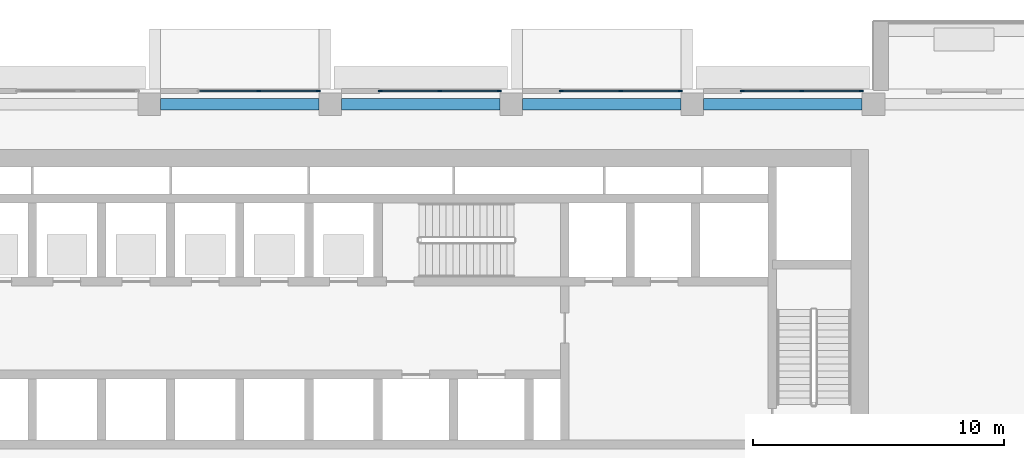
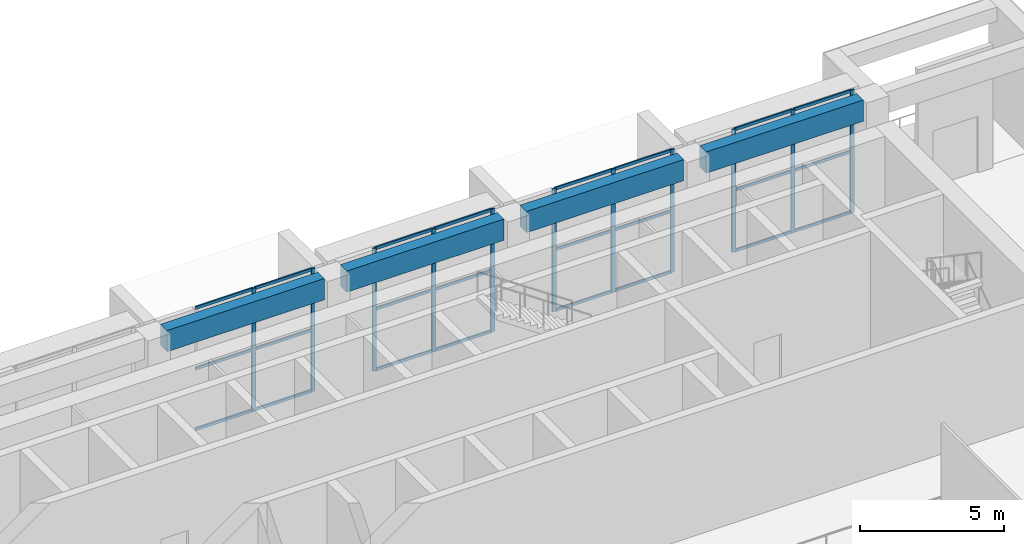
# One storey, part 8 of 25: 35 members, 4 beams, 4 elements without a shape of their own.
"""IFC4 building model written with IfcOpenShell, lengths in metres."""

from ifc_helpers import new_model, si_unit, direction, frame, origin, origin_2d, place, context, subcontext, project, spatial, rectangle, extrude, source, transform, mapped, material, layer, layer_set, material_profile, profile_set, type_object, element, aggregate, save


model = new_model("IFC4")

# Units and contexts
model_context = context("Model", 3, precision=1e-05, world=origin(), true_north=direction((0.0, 1.0)))
body_context = subcontext(model_context, "Body", "Model", "MODEL_VIEW")
ifc_project = project(units=[si_unit("LENGTHUNIT", "METRE"), si_unit("AREAUNIT", "SQUARE_METRE"), si_unit("VOLUMEUNIT", "CUBIC_METRE"), si_unit("PLANEANGLEUNIT", "RADIAN"), si_unit("MASSUNIT", "GRAM", prefix="KILO")], contexts=[model_context])

# Site, building, storey
site_placement = place(None, origin())
site = spatial("IfcSite", under=ifc_project, at=site_placement, CompositionType="ELEMENT")
building_placement = place(site_placement, origin())
building = spatial("IfcBuilding", under=site, at=building_placement, Name="Saffron Iwan Residences", CompositionType="ELEMENT")
storey_placement = place(building_placement, frame((0.0, 0.0, 137.5)))
storey = spatial("IfcBuildingStorey", under=building, at=storey_placement, Name="L36", CompositionType="ELEMENT", Elevation=137.5)

# Beams
ifc_material_1 = material(Name="Concrete C50/60", Category="concrete")
ifc_material_profile_1 = material_profile(ifc_material_1, rectangle(XDim=0.449951171875, YDim=0.89990234375, at=origin_2d()), Name="RC 450x900")
ifc_profile_set_1 = profile_set([ifc_material_profile_1], Name="Concrete C50/60")
beam_type = type_object("IfcBeamType", Name="SPANDREL BEAM RC 450x900 C50/60 TOP 5200", PredefinedType="SPANDREL", material=ifc_profile_set_1)
shared_shape_1 = source(origin(), body_context, "Body", "SweptSolid", [
    extrude(rectangle(XDim=0.449951171875, YDim=0.89990234375, at=origin_2d()), origin(), (0.0, 0.0, 1.0), 6.300048828125),
])
for number, where, z_axis, x_axis, name in (
    (1, (43.64990234375, 79.800048828125, 4.75), (1.0, 0.0, 0.0), (0.0, 1.0, 0.0), "Spandrel beam"),
    (2, (58.050048828125, 79.800048828125, 4.75), (1.0, 0.0, 0.0), (0.0, 1.0, 0.0), "Spandrel beam"),
    (3, (65.25, 79.800048828125, 4.75), (1.0, 0.0, 0.0), (0.0, 1.0, 0.0), "Spandrel beam"),
):
    element("IfcBeam", number, at=place(storey_placement, frame(where, z_axis=z_axis, x_axis=x_axis)), inside=storey, type_object=beam_type, Name=name, PredefinedType="SPANDREL", context=body_context, shape_type="MappedRepresentation", body=[
        mapped(shared_shape_1, transform((0.0, 0.0, 0.0))),
    ])
shared_shape_2 = source(origin(), body_context, "Body", "SweptSolid", [
    extrude(rectangle(XDim=0.449951171875, YDim=0.89990234375, at=origin_2d()), origin(), (0.0, 0.0, 1.0), 6.2998046875),
])
beam_placement = place(storey_placement, frame((50.85009765625, 79.800048828125, 4.75), z_axis=(1.0, 0.0, 0.0), x_axis=(0.0, 1.0, 0.0)))
element("IfcBeam", 4, at=beam_placement, inside=storey, type_object=beam_type, Name="Spandrel beam", PredefinedType="SPANDREL", context=body_context, shape_type="MappedRepresentation", body=[
    mapped(shared_shape_2, transform((0.0, 0.0, 0.0))),
])

# Curtain wall, members
ifc_material_2 = material(Name="Clear glass, laminated double glazed", Category="glass")
ifc_layer = layer(ifc_material_2, 0.14990234375)
ifc_layer_set = layer_set([ifc_layer], Name="Clear glass, laminated double glazed")
curtain_wall_type = type_object("IfcCurtainWallType", Name="CW-C SKY LOBBY GLAZING", PredefinedType="NOTDEFINED", material=ifc_layer_set)
curtain_wall_1_placement = place(storey_placement, origin())
curtain_wall_1 = element("IfcCurtainWall", 5, at=curtain_wall_1_placement, inside=storey, type_object=curtain_wall_type, Name="Glazing L36 F5.3", PredefinedType="NOTDEFINED")
ifc_material_3 = material(Name="Aluminium 6063-T6", Category="aluminium")
ifc_material_profile_2 = material_profile(ifc_material_3, rectangle(XDim=0.06005859375, YDim=0.159912109375, at=origin_2d()), Name="CW-C MULLION 60 x 160")
ifc_profile_set_2 = profile_set([ifc_material_profile_2], Name="Aluminium 6063-T6")
member_type_1 = type_object("IfcMemberType", Name="CW-C MULLION 60 x 160", PredefinedType="MULLION", material=ifc_profile_set_2)
shared_shape_3 = source(origin(), body_context, "Body", "SweptSolid", [
    extrude(rectangle(XDim=0.06005859375, YDim=0.159912109375, at=origin_2d()), origin(), (0.0, 0.0, 1.0), 5.199951171875),
])
member_1_placement = place(storey_placement, frame((71.52001953125, 80.320068359375, 0.0), z_axis=(0.0, 0.0, 1.0), x_axis=(0.0, -1.0, 0.0)))
member_1 = element("IfcMember", 6, at=member_1_placement, type_object=member_type_1, Name="CW-C mullion 1", PredefinedType="MULLION", context=body_context, shape_type="MappedRepresentation", body=[
    mapped(shared_shape_3, transform((0.0, 0.0, 0.0))),
])
member_2_placement = place(storey_placement, frame((69.14990234375, 80.320068359375, 0.0), z_axis=(0.0, 0.0, 1.0), x_axis=(0.0, -1.0, 0.0)))
member_2 = element("IfcMember", 7, at=member_2_placement, type_object=member_type_1, Name="CW-C mullion 2", PredefinedType="MULLION", context=body_context, shape_type="MappedRepresentation", body=[
    mapped(shared_shape_3, transform((0.0, 0.0, 0.0))),
])
member_3_placement = place(storey_placement, frame((66.780029296875, 80.320068359375, 0.0), z_axis=(0.0, 0.0, 1.0), x_axis=(0.0, -1.0, 0.0)))
member_3 = element("IfcMember", 8, at=member_3_placement, type_object=member_type_1, Name="CW-C mullion 3", PredefinedType="MULLION", context=body_context, shape_type="MappedRepresentation", body=[
    mapped(shared_shape_3, transform((0.0, 0.0, 0.0))),
])

curtain_wall_2_placement = place(storey_placement, origin())
curtain_wall_2 = element("IfcCurtainWall", 9, at=curtain_wall_2_placement, inside=storey, type_object=curtain_wall_type, Name="Glazing L36 F5.4", PredefinedType="NOTDEFINED")
member_4_placement = place(storey_placement, frame((64.320068359375, 80.320068359375, 0.0), z_axis=(0.0, 0.0, 1.0), x_axis=(0.0, -1.0, 0.0)))
member_4 = element("IfcMember", 10, at=member_4_placement, type_object=member_type_1, Name="CW-C mullion 1", PredefinedType="MULLION", context=body_context, shape_type="MappedRepresentation", body=[
    mapped(shared_shape_3, transform((0.0, 0.0, 0.0))),
])
member_5_placement = place(storey_placement, frame((61.949951171875, 80.320068359375, 0.0), z_axis=(0.0, 0.0, 1.0), x_axis=(0.0, -1.0, 0.0)))
member_5 = element("IfcMember", 11, at=member_5_placement, type_object=member_type_1, Name="CW-C mullion 2", PredefinedType="MULLION", context=body_context, shape_type="MappedRepresentation", body=[
    mapped(shared_shape_3, transform((0.0, 0.0, 0.0))),
])
member_6_placement = place(storey_placement, frame((59.580078125, 80.320068359375, 0.0), z_axis=(0.0, 0.0, 1.0), x_axis=(0.0, -1.0, 0.0)))
member_6 = element("IfcMember", 12, at=member_6_placement, type_object=member_type_1, Name="CW-C mullion 3", PredefinedType="MULLION", context=body_context, shape_type="MappedRepresentation", body=[
    mapped(shared_shape_3, transform((0.0, 0.0, 0.0))),
])

curtain_wall_3_placement = place(storey_placement, origin())
curtain_wall_3 = element("IfcCurtainWall", 13, at=curtain_wall_3_placement, inside=storey, type_object=curtain_wall_type, Name="Glazing L36 F5.5", PredefinedType="NOTDEFINED")
member_7_placement = place(storey_placement, frame((57.1201171875, 80.320068359375, 0.0), z_axis=(0.0, 0.0, 1.0), x_axis=(0.0, -1.0, 0.0)))
member_7 = element("IfcMember", 14, at=member_7_placement, type_object=member_type_1, Name="CW-C mullion 1", PredefinedType="MULLION", context=body_context, shape_type="MappedRepresentation", body=[
    mapped(shared_shape_3, transform((0.0, 0.0, 0.0))),
])
member_8_placement = place(storey_placement, frame((54.75, 80.320068359375, 0.0), z_axis=(0.0, 0.0, 1.0), x_axis=(0.0, -1.0, 0.0)))
member_8 = element("IfcMember", 15, at=member_8_placement, type_object=member_type_1, Name="CW-C mullion 2", PredefinedType="MULLION", context=body_context, shape_type="MappedRepresentation", body=[
    mapped(shared_shape_3, transform((0.0, 0.0, 0.0))),
])
member_9_placement = place(storey_placement, frame((52.3798828125, 80.320068359375, 0.0), z_axis=(0.0, 0.0, 1.0), x_axis=(0.0, -1.0, 0.0)))
member_9 = element("IfcMember", 16, at=member_9_placement, type_object=member_type_1, Name="CW-C mullion 3", PredefinedType="MULLION", context=body_context, shape_type="MappedRepresentation", body=[
    mapped(shared_shape_3, transform((0.0, 0.0, 0.0))),
])

curtain_wall_4_placement = place(storey_placement, origin())
curtain_wall_4 = element("IfcCurtainWall", 17, at=curtain_wall_4_placement, inside=storey, type_object=curtain_wall_type, Name="Glazing L36 F5.6", PredefinedType="NOTDEFINED")
member_10_placement = place(storey_placement, frame((49.919921875, 80.320068359375, 0.0), z_axis=(0.0, 0.0, 1.0), x_axis=(0.0, -1.0, 0.0)))
member_10 = element("IfcMember", 18, at=member_10_placement, type_object=member_type_1, Name="CW-C mullion 1", PredefinedType="MULLION", context=body_context, shape_type="MappedRepresentation", body=[
    mapped(shared_shape_3, transform((0.0, 0.0, 0.0))),
])
member_11_placement = place(storey_placement, frame((47.550048828125, 80.320068359375, 0.0), z_axis=(0.0, 0.0, 1.0), x_axis=(0.0, -1.0, 0.0)))
member_11 = element("IfcMember", 19, at=member_11_placement, type_object=member_type_1, Name="CW-C mullion 2", PredefinedType="MULLION", context=body_context, shape_type="MappedRepresentation", body=[
    mapped(shared_shape_3, transform((0.0, 0.0, 0.0))),
])

# Member
ifc_material_profile_3 = material_profile(ifc_material_3, rectangle(XDim=0.06005859375, YDim=0.1201171875, at=origin_2d()), Name="CW-C TRANSOM 60 x 120")
ifc_profile_set_3 = profile_set([ifc_material_profile_3], Name="Aluminium 6063-T6")
member_type_2 = type_object("IfcMemberType", Name="CW-C TRANSOM 60 x 120", PredefinedType="USERDEFINED", material=ifc_profile_set_3)
shared_shape_4 = source(origin(), body_context, "Body", "SweptSolid", [
    extrude(rectangle(XDim=0.06005859375, YDim=0.1201171875, at=origin_2d()), origin(), (0.0, 0.0, 1.0), 2.31005859375),
])
member_12_placement = place(storey_placement, frame((71.489990234375, 80.320068359375, 0.030029296875), z_axis=(-1.0, 0.0, 0.0), x_axis=(0.0, -1.0, 0.0)))
member_12 = element("IfcMember", 20, at=member_12_placement, type_object=member_type_2, Name="CW-C transom 1.1", ObjectType="TRANSOM", PredefinedType="USERDEFINED", context=body_context, shape_type="MappedRepresentation", body=[
    mapped(shared_shape_4, transform((0.0, 0.0, 0.0))),
])

member_13_placement = place(storey_placement, frame((71.489990234375, 80.320068359375, 2.60009765625), z_axis=(-1.0, 0.0, 0.0), x_axis=(0.0, -1.0, 0.0)))
member_13 = element("IfcMember", 21, at=member_13_placement, type_object=member_type_2, Name="CW-C transom 1.2", ObjectType="TRANSOM", PredefinedType="USERDEFINED", context=body_context, shape_type="MappedRepresentation", body=[
    mapped(shared_shape_4, transform((0.0, 0.0, 0.0))),
])

member_14_placement = place(storey_placement, frame((71.489990234375, 80.320068359375, 5.169921875), z_axis=(-1.0, 0.0, 0.0), x_axis=(0.0, -1.0, 0.0)))
member_14 = element("IfcMember", 22, at=member_14_placement, type_object=member_type_2, Name="CW-C transom 1.3", ObjectType="TRANSOM", PredefinedType="USERDEFINED", context=body_context, shape_type="MappedRepresentation", body=[
    mapped(shared_shape_4, transform((0.0, 0.0, 0.0))),
])

member_15_placement = place(storey_placement, frame((69.1201171875, 80.320068359375, 0.030029296875), z_axis=(-1.0, 0.0, 0.0), x_axis=(0.0, -1.0, 0.0)))
member_15 = element("IfcMember", 23, at=member_15_placement, type_object=member_type_2, Name="CW-C transom 2.1", ObjectType="TRANSOM", PredefinedType="USERDEFINED", context=body_context, shape_type="MappedRepresentation", body=[
    mapped(shared_shape_4, transform((0.0, 0.0, 0.0))),
])

member_16_placement = place(storey_placement, frame((69.1201171875, 80.320068359375, 2.60009765625), z_axis=(-1.0, 0.0, 0.0), x_axis=(0.0, -1.0, 0.0)))
member_16 = element("IfcMember", 24, at=member_16_placement, type_object=member_type_2, Name="CW-C transom 2.2", ObjectType="TRANSOM", PredefinedType="USERDEFINED", context=body_context, shape_type="MappedRepresentation", body=[
    mapped(shared_shape_4, transform((0.0, 0.0, 0.0))),
])

member_17_placement = place(storey_placement, frame((69.1201171875, 80.320068359375, 5.169921875), z_axis=(-1.0, 0.0, 0.0), x_axis=(0.0, -1.0, 0.0)))
member_17 = element("IfcMember", 25, at=member_17_placement, type_object=member_type_2, Name="CW-C transom 2.3", ObjectType="TRANSOM", PredefinedType="USERDEFINED", context=body_context, shape_type="MappedRepresentation", body=[
    mapped(shared_shape_4, transform((0.0, 0.0, 0.0))),
])

aggregate(curtain_wall_1, [member_1, member_2, member_3, member_12, member_13, member_14, member_15, member_16, member_17])

member_18_placement = place(storey_placement, frame((64.2900390625, 80.320068359375, 0.030029296875), z_axis=(-1.0, 0.0, 0.0), x_axis=(0.0, -1.0, 0.0)))
member_18 = element("IfcMember", 26, at=member_18_placement, type_object=member_type_2, Name="CW-C transom 1.1", ObjectType="TRANSOM", PredefinedType="USERDEFINED", context=body_context, shape_type="MappedRepresentation", body=[
    mapped(shared_shape_4, transform((0.0, 0.0, 0.0))),
])

member_19_placement = place(storey_placement, frame((64.2900390625, 80.320068359375, 2.60009765625), z_axis=(-1.0, 0.0, 0.0), x_axis=(0.0, -1.0, 0.0)))
member_19 = element("IfcMember", 27, at=member_19_placement, type_object=member_type_2, Name="CW-C transom 1.2", ObjectType="TRANSOM", PredefinedType="USERDEFINED", context=body_context, shape_type="MappedRepresentation", body=[
    mapped(shared_shape_4, transform((0.0, 0.0, 0.0))),
])

member_20_placement = place(storey_placement, frame((64.2900390625, 80.320068359375, 5.169921875), z_axis=(-1.0, 0.0, 0.0), x_axis=(0.0, -1.0, 0.0)))
member_20 = element("IfcMember", 28, at=member_20_placement, type_object=member_type_2, Name="CW-C transom 1.3", ObjectType="TRANSOM", PredefinedType="USERDEFINED", context=body_context, shape_type="MappedRepresentation", body=[
    mapped(shared_shape_4, transform((0.0, 0.0, 0.0))),
])

member_21_placement = place(storey_placement, frame((57.090087890625, 80.320068359375, 0.030029296875), z_axis=(-1.0, 0.0, 0.0), x_axis=(0.0, -1.0, 0.0)))
member_21 = element("IfcMember", 29, at=member_21_placement, type_object=member_type_2, Name="CW-C transom 1.1", ObjectType="TRANSOM", PredefinedType="USERDEFINED", context=body_context, shape_type="MappedRepresentation", body=[
    mapped(shared_shape_4, transform((0.0, 0.0, 0.0))),
])

member_22_placement = place(storey_placement, frame((57.090087890625, 80.320068359375, 2.60009765625), z_axis=(-1.0, 0.0, 0.0), x_axis=(0.0, -1.0, 0.0)))
member_22 = element("IfcMember", 30, at=member_22_placement, type_object=member_type_2, Name="CW-C transom 1.2", ObjectType="TRANSOM", PredefinedType="USERDEFINED", context=body_context, shape_type="MappedRepresentation", body=[
    mapped(shared_shape_4, transform((0.0, 0.0, 0.0))),
])

member_23_placement = place(storey_placement, frame((57.090087890625, 80.320068359375, 5.169921875), z_axis=(-1.0, 0.0, 0.0), x_axis=(0.0, -1.0, 0.0)))
member_23 = element("IfcMember", 31, at=member_23_placement, type_object=member_type_2, Name="CW-C transom 1.3", ObjectType="TRANSOM", PredefinedType="USERDEFINED", context=body_context, shape_type="MappedRepresentation", body=[
    mapped(shared_shape_4, transform((0.0, 0.0, 0.0))),
])

member_24_placement = place(storey_placement, frame((54.719970703125, 80.320068359375, 0.030029296875), z_axis=(-1.0, 0.0, 0.0), x_axis=(0.0, -1.0, 0.0)))
member_24 = element("IfcMember", 32, at=member_24_placement, type_object=member_type_2, Name="CW-C transom 2.1", ObjectType="TRANSOM", PredefinedType="USERDEFINED", context=body_context, shape_type="MappedRepresentation", body=[
    mapped(shared_shape_4, transform((0.0, 0.0, 0.0))),
])

member_25_placement = place(storey_placement, frame((54.719970703125, 80.320068359375, 2.60009765625), z_axis=(-1.0, 0.0, 0.0), x_axis=(0.0, -1.0, 0.0)))
member_25 = element("IfcMember", 33, at=member_25_placement, type_object=member_type_2, Name="CW-C transom 2.2", ObjectType="TRANSOM", PredefinedType="USERDEFINED", context=body_context, shape_type="MappedRepresentation", body=[
    mapped(shared_shape_4, transform((0.0, 0.0, 0.0))),
])

member_26_placement = place(storey_placement, frame((54.719970703125, 80.320068359375, 5.169921875), z_axis=(-1.0, 0.0, 0.0), x_axis=(0.0, -1.0, 0.0)))
member_26 = element("IfcMember", 34, at=member_26_placement, type_object=member_type_2, Name="CW-C transom 2.3", ObjectType="TRANSOM", PredefinedType="USERDEFINED", context=body_context, shape_type="MappedRepresentation", body=[
    mapped(shared_shape_4, transform((0.0, 0.0, 0.0))),
])

aggregate(curtain_wall_3, [member_7, member_8, member_9, member_21, member_22, member_23, member_24, member_25, member_26])

member_27_placement = place(storey_placement, frame((47.52001953125, 80.320068359375, 0.030029296875), z_axis=(-1.0, 0.0, 0.0), x_axis=(0.0, -1.0, 0.0)))
member_27 = element("IfcMember", 35, at=member_27_placement, type_object=member_type_2, Name="CW-C transom 2.1", ObjectType="TRANSOM", PredefinedType="USERDEFINED", context=body_context, shape_type="MappedRepresentation", body=[
    mapped(shared_shape_4, transform((0.0, 0.0, 0.0))),
])

member_28_placement = place(storey_placement, frame((47.52001953125, 80.320068359375, 2.60009765625), z_axis=(-1.0, 0.0, 0.0), x_axis=(0.0, -1.0, 0.0)))
member_28 = element("IfcMember", 36, at=member_28_placement, type_object=member_type_2, Name="CW-C transom 2.2", ObjectType="TRANSOM", PredefinedType="USERDEFINED", context=body_context, shape_type="MappedRepresentation", body=[
    mapped(shared_shape_4, transform((0.0, 0.0, 0.0))),
])

member_29_placement = place(storey_placement, frame((47.52001953125, 80.320068359375, 5.169921875), z_axis=(-1.0, 0.0, 0.0), x_axis=(0.0, -1.0, 0.0)))
member_29 = element("IfcMember", 37, at=member_29_placement, type_object=member_type_2, Name="CW-C transom 2.3", ObjectType="TRANSOM", PredefinedType="USERDEFINED", context=body_context, shape_type="MappedRepresentation", body=[
    mapped(shared_shape_4, transform((0.0, 0.0, 0.0))),
])

shared_shape_5 = source(origin(), body_context, "Body", "SweptSolid", [
    extrude(rectangle(XDim=0.06005859375, YDim=0.1201171875, at=origin_2d()), origin(), (0.0, 0.0, 1.0), 2.309814453125),
])
member_30_placement = place(storey_placement, frame((61.919921875, 80.320068359375, 0.030029296875), z_axis=(-1.0, 0.0, 0.0), x_axis=(0.0, -1.0, 0.0)))
member_30 = element("IfcMember", 38, at=member_30_placement, type_object=member_type_2, Name="CW-C transom 2.1", ObjectType="TRANSOM", PredefinedType="USERDEFINED", context=body_context, shape_type="MappedRepresentation", body=[
    mapped(shared_shape_5, transform((0.0, 0.0, 0.0))),
])

member_31_placement = place(storey_placement, frame((61.919921875, 80.320068359375, 2.60009765625), z_axis=(-1.0, 0.0, 0.0), x_axis=(0.0, -1.0, 0.0)))
member_31 = element("IfcMember", 39, at=member_31_placement, type_object=member_type_2, Name="CW-C transom 2.2", ObjectType="TRANSOM", PredefinedType="USERDEFINED", context=body_context, shape_type="MappedRepresentation", body=[
    mapped(shared_shape_5, transform((0.0, 0.0, 0.0))),
])

member_32_placement = place(storey_placement, frame((61.919921875, 80.320068359375, 5.169921875), z_axis=(-1.0, 0.0, 0.0), x_axis=(0.0, -1.0, 0.0)))
member_32 = element("IfcMember", 40, at=member_32_placement, type_object=member_type_2, Name="CW-C transom 2.3", ObjectType="TRANSOM", PredefinedType="USERDEFINED", context=body_context, shape_type="MappedRepresentation", body=[
    mapped(shared_shape_5, transform((0.0, 0.0, 0.0))),
])

aggregate(curtain_wall_2, [member_4, member_5, member_6, member_18, member_19, member_20, member_30, member_31, member_32])

member_33_placement = place(storey_placement, frame((49.889892578125, 80.320068359375, 0.030029296875), z_axis=(-1.0, 0.0, 0.0), x_axis=(0.0, -1.0, 0.0)))
member_33 = element("IfcMember", 41, at=member_33_placement, type_object=member_type_2, Name="CW-C transom 1.1", ObjectType="TRANSOM", PredefinedType="USERDEFINED", context=body_context, shape_type="MappedRepresentation", body=[
    mapped(shared_shape_5, transform((0.0, 0.0, 0.0))),
])

member_34_placement = place(storey_placement, frame((49.889892578125, 80.320068359375, 2.60009765625), z_axis=(-1.0, 0.0, 0.0), x_axis=(0.0, -1.0, 0.0)))
member_34 = element("IfcMember", 42, at=member_34_placement, type_object=member_type_2, Name="CW-C transom 1.2", ObjectType="TRANSOM", PredefinedType="USERDEFINED", context=body_context, shape_type="MappedRepresentation", body=[
    mapped(shared_shape_5, transform((0.0, 0.0, 0.0))),
])

member_35_placement = place(storey_placement, frame((49.889892578125, 80.320068359375, 5.169921875), z_axis=(-1.0, 0.0, 0.0), x_axis=(0.0, -1.0, 0.0)))
member_35 = element("IfcMember", 43, at=member_35_placement, type_object=member_type_2, Name="CW-C transom 1.3", ObjectType="TRANSOM", PredefinedType="USERDEFINED", context=body_context, shape_type="MappedRepresentation", body=[
    mapped(shared_shape_5, transform((0.0, 0.0, 0.0))),
])

aggregate(curtain_wall_4, [member_10, member_11, member_33, member_34, member_35, member_27, member_28, member_29])

save(model, "model.ifc")
